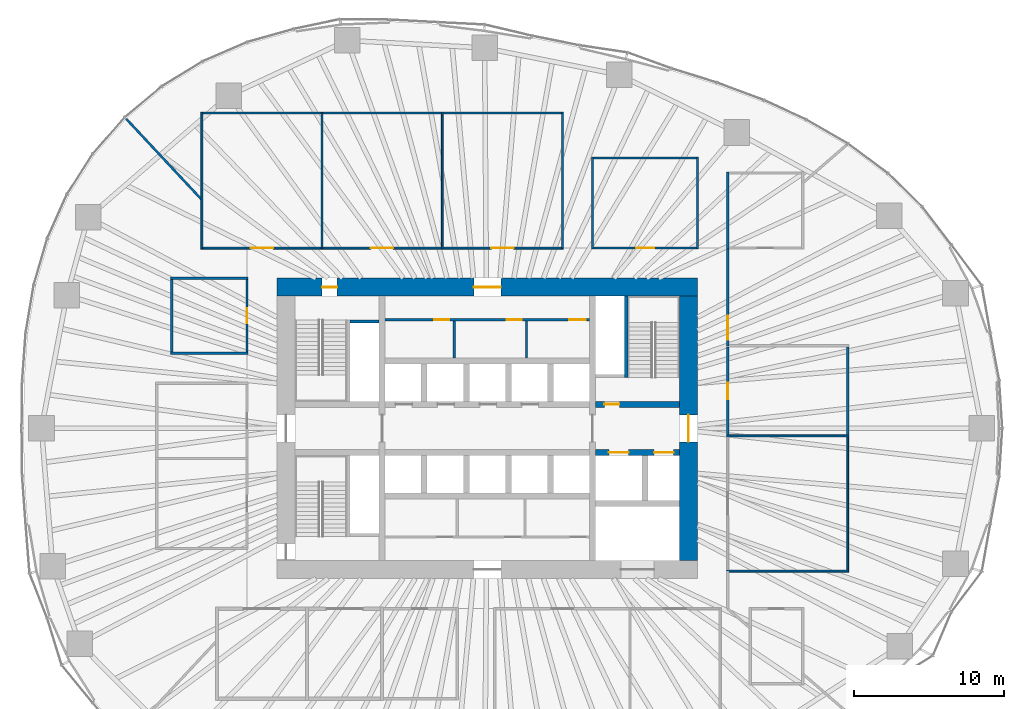
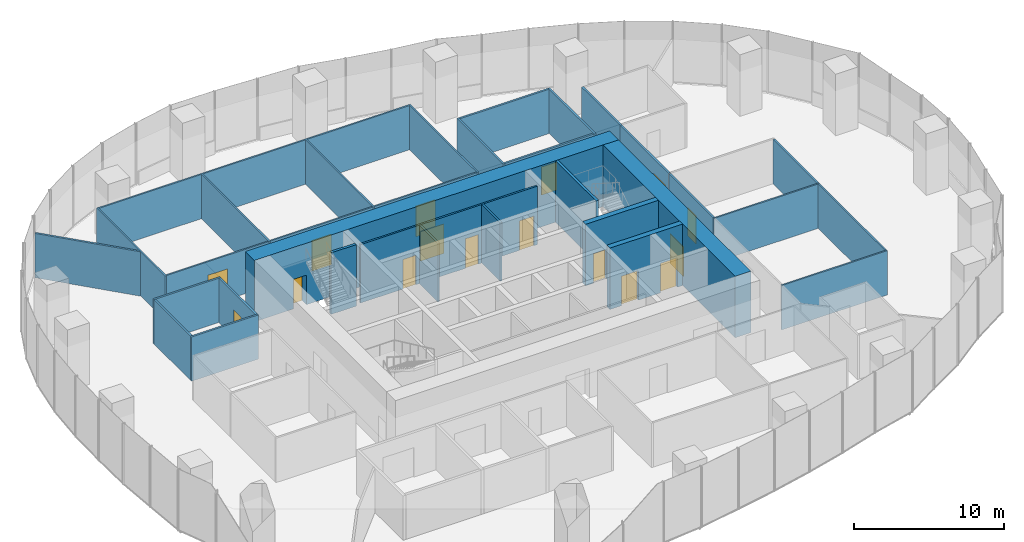
# One storey, part 11 of 20: 35 walls, 16 doors, 16 openings.
"""IFC4 building model written with IfcOpenShell, lengths in metres."""

from ifc_helpers import new_model, si_unit, direction, frame, frame_2d, origin, place, context, subcontext, project, spatial, rectangle, extrude, material, layer, layer_set, type_object, element, fill, save


model = new_model("IFC4")

# Units and contexts
model_context = context("Model", 3, precision=1e-05, world=origin(), true_north=direction((0.0, 1.0)))
body_context = subcontext(model_context, "Body", "Model", "MODEL_VIEW")
ifc_project = project(units=[si_unit("LENGTHUNIT", "METRE"), si_unit("AREAUNIT", "SQUARE_METRE"), si_unit("VOLUMEUNIT", "CUBIC_METRE"), si_unit("PLANEANGLEUNIT", "RADIAN"), si_unit("MASSUNIT", "GRAM", prefix="KILO")], contexts=[model_context])

# Site, building, storey
site_placement = place(None, origin())
site = spatial("IfcSite", under=ifc_project, at=site_placement, CompositionType="ELEMENT")
building_placement = place(site_placement, origin())
building = spatial("IfcBuilding", under=site, at=building_placement, Name="Ghaith Harvest Tower", CompositionType="ELEMENT")
storey_placement = place(building_placement, frame((0.0, 0.0, 65.0)))
storey = spatial("IfcBuildingStorey", under=building, at=storey_placement, Name="L13", CompositionType="ELEMENT", Elevation=65.0)

# Wall, openings, doors
ifc_material_1 = material(Name="Concrete blockwork, fair-faced", Category="masonry")
ifc_layer_1 = layer(ifc_material_1, 0.139892578125)
ifc_layer_set_1 = layer_set([ifc_layer_1], Name="CORE PARTITION 140")
wall_type_1 = type_object("IfcWallType", Name="CORE PARTITION 140", PredefinedType="PARTITIONING", material=ifc_layer_set_1)
wall_1_placement = place(storey_placement, frame((-6.800048828125, 7.22998046875, 0.0), z_axis=(0.0, 0.0, 1.0), x_axis=(1.0, 0.0, 0.0)))
wall_1 = element("IfcWall", 1, at=wall_1_placement, inside=storey, type_object=wall_type_1, Name="Core partition L13", PredefinedType="PARTITIONING", context=body_context, shape_type="SweptSolid", body=[
    extrude(rectangle(XDim=13.60009765625, YDim=0.139892578125, at=frame_2d((6.800048828125, 0.0))), origin(), (0.0, 0.0, 1.0), 4.75),
])
opening_1_placement = place(wall_1_placement, frame((3.280029296875, 0.0, 0.0)))
opening_1 = element("IfcOpeningElement", 2, at=opening_1_placement, cuts=wall_1, Name="Opening 13-008", PredefinedType="OPENING", context=body_context, shape_type="SweptSolid", body=[
    extrude(rectangle(XDim=1.0, YDim=2.39990234375, at=frame_2d((0.5, 1.199951171875))), frame((0.0, 0.080078125, 0.0), z_axis=(0.0, -1.0, 0.0), x_axis=(1.0, 0.0, 0.0)), (0.0, 0.0, 1.0), 0.159912109375),
])
opening_2_placement = place(wall_1_placement, frame((8.080078125, 0.0, 0.0)))
opening_2 = element("IfcOpeningElement", 3, at=opening_2_placement, cuts=wall_1, Name="Opening 13-009", PredefinedType="OPENING", context=body_context, shape_type="SweptSolid", body=[
    extrude(rectangle(XDim=1.0, YDim=2.39990234375, at=frame_2d((0.5, 1.199951171875))), frame((0.0, 0.080078125, 0.0), z_axis=(0.0, -1.0, 0.0), x_axis=(1.0, 0.0, 0.0)), (0.0, 0.0, 1.0), 0.159912109375),
])
opening_3_placement = place(wall_1_placement, frame((12.25, 0.0, 0.0)))
opening_3 = element("IfcOpeningElement", 4, at=opening_3_placement, cuts=wall_1, Name="Opening 13-010", PredefinedType="OPENING", context=body_context, shape_type="SweptSolid", body=[
    extrude(rectangle(XDim=1.10009765625, YDim=2.39990234375, at=frame_2d((0.550048828125, 1.199951171875))), frame((0.0, 0.080078125, 0.0), z_axis=(0.0, -1.0, 0.0), x_axis=(1.0, 0.0, 0.0)), (0.0, 0.0, 1.0), 0.159912109375),
])
ifc_material_2 = material(Name="Steel fire door", Category="steel")
door_type_1 = type_object("IfcDoorType", Name="D3 FD90 1000x2400", OperationType="SINGLE_SWING_LEFT", PredefinedType="DOOR", material=ifc_material_2)
door_1_placement = place(opening_1_placement, origin())
door_1 = element("IfcDoor", 5, at=door_1_placement, inside=storey, type_object=door_type_1, Name="Female WC door", OperationType="SINGLE_SWING_LEFT", OverallHeight=2.39990234375, OverallWidth=1.0, PredefinedType="DOOR", context=body_context, shape_type="SweptSolid", body=[
    extrude(rectangle(XDim=1.0, YDim=2.39990234375, at=frame_2d((0.5, 1.199951171875))), frame((0.0, 0.02490234375, 0.0), z_axis=(0.0, -1.0, 0.0), x_axis=(1.0, 0.0, 0.0)), (0.0, 0.0, 1.0), 0.050048828125),
])
fill(opening_1, door_1)
door_2_placement = place(opening_2_placement, origin())
door_2 = element("IfcDoor", 6, at=door_2_placement, inside=storey, type_object=door_type_1, Name="Male WC door", OperationType="SINGLE_SWING_RIGHT", OverallHeight=2.39990234375, OverallWidth=1.0, PredefinedType="DOOR", context=body_context, shape_type="SweptSolid", body=[
    extrude(rectangle(XDim=1.0, YDim=2.39990234375, at=frame_2d((0.5, 1.199951171875))), frame((0.0, 0.02490234375, 0.0), z_axis=(0.0, -1.0, 0.0), x_axis=(1.0, 0.0, 0.0)), (0.0, 0.0, 1.0), 0.050048828125),
])
fill(opening_2, door_2)
ifc_material_3 = material(Name="Steel fire door", Category="steel")
door_type_2 = type_object("IfcDoorType", Name="D9 FD90 1100x2400", OperationType="SINGLE_SWING_LEFT", PredefinedType="DOOR", material=ifc_material_3)
door_3_placement = place(opening_3_placement, origin())
door_3 = element("IfcDoor", 7, at=door_3_placement, inside=storey, type_object=door_type_2, Name="Accessible WC door", OperationType="SINGLE_SWING_RIGHT", OverallHeight=2.39990234375, OverallWidth=1.10009765625, PredefinedType="DOOR", context=body_context, shape_type="SweptSolid", body=[
    extrude(rectangle(XDim=1.10009765625, YDim=2.39990234375, at=frame_2d((0.550048828125, 1.199951171875))), frame((0.0, 0.02490234375, 0.0), z_axis=(0.0, -1.0, 0.0), x_axis=(1.0, 0.0, 0.0)), (0.0, 0.0, 1.0), 0.050048828125),
])
fill(opening_3, door_3)

# Walls
for number, where, z_axis, x_axis, name in (
    (8, (-2.199951171875, 4.699951171875, 0.0), (0.0, 0.0, 1.0), (0.0, 1.0, 0.0), "Core partition L13"),
    (9, (2.60009765625, 4.699951171875, 0.0), (0.0, 0.0, 1.0), (0.0, 1.0, 0.0), "Core partition L13"),
):
    element("IfcWall", number, at=place(storey_placement, frame(where, z_axis=z_axis, x_axis=x_axis)), inside=storey, type_object=wall_type_1, Name=name, PredefinedType="PARTITIONING", context=body_context, shape_type="SweptSolid", body=[
        extrude(rectangle(XDim=2.4599609375, YDim=0.139892578125, at=frame_2d((1.22998046875, 0.0))), origin(), (0.0, 0.0, 1.0), 4.75),
    ])

# Wall, openings, doors
ifc_material_4 = material(Name="Concrete C70/85", Category="concrete")
ifc_layer_2 = layer(ifc_material_4, 1.199951171875)
ifc_layer_set_2 = layer_set([ifc_layer_2], Name="CORE WALL CW1200")
wall_type_2 = type_object("IfcWallType", Name="CORE WALL CW1200", PredefinedType="SHEAR", material=ifc_layer_set_2)
wall_2_placement = place(storey_placement, frame((14.0, 9.39990234375, 0.0), z_axis=(0.0, 0.0, 1.0), x_axis=(-1.0, 0.0, 0.0)))
wall_2 = element("IfcWall", 10, at=wall_2_placement, inside=storey, type_object=wall_type_2, Name="Core wall N L13", PredefinedType="SHEAR", context=body_context, shape_type="SweptSolid", body=[
    extrude(rectangle(XDim=28.0, YDim=1.199951171875, at=frame_2d((14.0, 0.0))), origin(), (0.0, 0.0, 1.0), 5.0),
])
opening_4_placement = place(wall_2_placement, frame((24.0, 0.0, 0.0)))
opening_4 = element("IfcOpeningElement", 11, at=opening_4_placement, cuts=wall_2, Name="Opening 13-005", PredefinedType="OPENING", context=body_context, shape_type="SweptSolid", body=[
    extrude(rectangle(XDim=1.0, YDim=2.39990234375, at=frame_2d((0.5, 1.199951171875))), frame((0.0, 0.60986328125, 0.0), z_axis=(0.0, -1.0, 0.0), x_axis=(1.0, 0.0, 0.0)), (0.0, 0.0, 1.0), 1.219970703125),
])
opening_5_placement = place(wall_2_placement, frame((13.10009765625, 0.0, 0.0)))
opening_5 = element("IfcOpeningElement", 12, at=opening_5_placement, cuts=wall_2, Name="Opening 13-014", PredefinedType="OPENING", context=body_context, shape_type="SweptSolid", body=[
    extrude(rectangle(XDim=1.800048828125, YDim=2.39990234375, at=frame_2d((0.89990234375, 1.199951171875))), frame((0.0, 0.60986328125, 0.0), z_axis=(0.0, -1.0, 0.0), x_axis=(1.0, 0.0, 0.0)), (0.0, 0.0, 1.0), 1.219970703125),
])
door_4_placement = place(opening_4_placement, origin())
door_4 = element("IfcDoor", 13, at=door_4_placement, inside=storey, type_object=door_type_1, Name="Stair ST1 door", OperationType="SINGLE_SWING_RIGHT", OverallHeight=2.39990234375, OverallWidth=1.0, PredefinedType="DOOR", context=body_context, shape_type="SweptSolid", body=[
    extrude(rectangle(XDim=1.0, YDim=2.39990234375, at=frame_2d((0.5, 1.199951171875))), frame((0.0, 0.02490234375, 0.0), z_axis=(0.0, -1.0, 0.0), x_axis=(1.0, 0.0, 0.0)), (0.0, 0.0, 1.0), 0.050048828125),
])
fill(opening_4, door_4)
ifc_material_5 = material(Name="Steel fire door", Category="steel")
door_type_3 = type_object("IfcDoorType", Name="D4 FD90 PAIR 1800x2400", OperationType="DOUBLE_DOOR_SINGLE_SWING", PredefinedType="DOOR", material=ifc_material_5)
door_5_placement = place(opening_5_placement, origin())
door_5 = element("IfcDoor", 14, at=door_5_placement, inside=storey, type_object=door_type_3, Name="Core service corridor doors", OperationType="DOUBLE_DOOR_SINGLE_SWING", OverallHeight=2.39990234375, OverallWidth=1.800048828125, PredefinedType="DOOR", context=body_context, shape_type="SweptSolid", body=[
    extrude(rectangle(XDim=1.800048828125, YDim=2.39990234375, at=frame_2d((0.89990234375, 1.199951171875))), frame((0.0, 0.02490234375, 0.0), z_axis=(0.0, -1.0, 0.0), x_axis=(1.0, 0.0, 0.0)), (0.0, 0.0, 1.0), 0.050048828125),
])
fill(opening_5, door_5)

# Wall, opening, door
wall_3_placement = place(storey_placement, frame((13.39990234375, -8.800048828125, 0.0), z_axis=(0.0, 0.0, 1.0), x_axis=(0.0, 1.0, 0.0)))
wall_3 = element("IfcWall", 15, at=wall_3_placement, inside=storey, type_object=wall_type_2, Name="Core wall E L13", PredefinedType="SHEAR", context=body_context, shape_type="SweptSolid", body=[
    extrude(rectangle(XDim=17.60009765625, YDim=1.199951171875, at=frame_2d((8.800048828125, 0.0))), origin(), (0.0, 0.0, 1.0), 5.0),
])
opening_6_placement = place(wall_3_placement, frame((7.89990234375, 0.0, 0.0)))
opening_6 = element("IfcOpeningElement", 16, at=opening_6_placement, cuts=wall_3, Name="Opening 13-002", PredefinedType="OPENING", context=body_context, shape_type="SweptSolid", body=[
    extrude(rectangle(XDim=1.800048828125, YDim=2.39990234375, at=frame_2d((0.89990234375, 1.199951171875))), frame((0.0, 0.60986328125, 0.0), z_axis=(0.0, -1.0, 0.0), x_axis=(1.0, 0.0, 0.0)), (0.0, 0.0, 1.0), 1.219970703125),
])
door_6_placement = place(opening_6_placement, origin())
door_6 = element("IfcDoor", 17, at=door_6_placement, inside=storey, type_object=door_type_3, Name="Fire-fighting lobby doors", OperationType="DOUBLE_DOOR_SINGLE_SWING", OverallHeight=2.39990234375, OverallWidth=1.800048828125, PredefinedType="DOOR", context=body_context, shape_type="SweptSolid", body=[
    extrude(rectangle(XDim=1.800048828125, YDim=2.39990234375, at=frame_2d((0.89990234375, 1.199951171875))), frame((0.0, 0.02490234375, 0.0), z_axis=(0.0, -1.0, 0.0), x_axis=(1.0, 0.0, 0.0)), (0.0, 0.0, 1.0), 0.050048828125),
])
fill(opening_6, door_6)

# Walls
ifc_material_6 = material(Name="Insulated food-grade panel", Category="steel")
ifc_layer_3 = layer(ifc_material_6, 0.1201171875)
ifc_layer_set_3 = layer_set([ifc_layer_3], Name="INSULATED PANEL WALL 120")
wall_type_3 = type_object("IfcWallType", Name="INSULATED PANEL WALL 120", PredefinedType="PARTITIONING", material=ifc_layer_set_3)
for number, where, z_axis, x_axis, name in (
    (18, (-19.0, 11.93994140625, 0.0), (0.0, 0.0, 1.0), (0.0, 1.0, 0.0), "Partition L13 row N1 cross wall 1"),
    (19, (-11.0, 11.93994140625, 0.0), (0.0, 0.0, 1.0), (0.0, 1.0, 0.0), "Partition L13 row N1 cross wall 2"),
    (20, (-3.0, 11.93994140625, 0.0), (0.0, 0.0, 1.0), (0.0, 1.0, 0.0), "Partition L13 row N1 cross wall 3"),
    (21, (5.0, 11.93994140625, 0.0), (0.0, 0.0, 1.0), (0.0, 1.0, 0.0), "Partition L13 row N1 cross wall 4"),
):
    element("IfcWall", number, at=place(storey_placement, frame(where, z_axis=z_axis, x_axis=x_axis)), inside=storey, type_object=wall_type_3, Name=name, PredefinedType="PARTITIONING", context=body_context, shape_type="SweptSolid", body=[
        extrude(rectangle(XDim=9.1201171875, YDim=0.1201171875, at=frame_2d((4.56005859375, 0.0))), origin(), (0.0, 0.0, 1.0), 3.60009765625),
    ])

# Wall, opening, door
wall_4_placement = place(storey_placement, frame((-18.93994140625, 12.0, 0.0), z_axis=(0.0, 0.0, 1.0), x_axis=(1.0, 0.0, 0.0)))
wall_4 = element("IfcWall", 22, at=wall_4_placement, inside=storey, type_object=wall_type_3, Name="Partition L13-01", PredefinedType="PARTITIONING", context=body_context, shape_type="SweptSolid", body=[
    extrude(rectangle(XDim=7.8798828125, YDim=0.1201171875, at=frame_2d((3.93994140625, 0.0))), origin(), (0.0, 0.0, 1.0), 3.60009765625),
])
opening_7_placement = place(wall_4_placement, frame((3.18994140625, 0.0, 0.0)))
opening_7 = element("IfcOpeningElement", 23, at=opening_7_placement, cuts=wall_4, Name="Opening 13-023", PredefinedType="OPENING", context=body_context, shape_type="SweptSolid", body=[
    extrude(rectangle(XDim=1.5, YDim=2.5, at=frame_2d((0.75, 1.25))), frame((0.0, 0.070068359375, 0.0), z_axis=(0.0, -1.0, 0.0), x_axis=(1.0, 0.0, 0.0)), (0.0, 0.0, 1.0), 0.14013671875),
])
ifc_material_7 = material(Name="Insulated steel sliding door", Category="steel")
door_type_4 = type_object("IfcDoorType", Name="D13 COLD STORE SLIDING 1500x2500", OperationType="SLIDING_TO_LEFT", PredefinedType="DOOR", material=ifc_material_7)
door_7_placement = place(opening_7_placement, origin())
door_7 = element("IfcDoor", 24, at=door_7_placement, inside=storey, type_object=door_type_4, Name="Herb growing room door", OperationType="SLIDING_TO_LEFT", OverallHeight=2.5, OverallWidth=1.5, PredefinedType="DOOR", context=body_context, shape_type="SweptSolid", body=[
    extrude(rectangle(XDim=1.5, YDim=2.5, at=frame_2d((0.75, 1.25))), frame((0.0, 0.02490234375, 0.0), z_axis=(0.0, -1.0, 0.0), x_axis=(1.0, 0.0, 0.0)), (0.0, 0.0, 1.0), 0.050048828125),
])
fill(opening_7, door_7)

# Wall
wall_5_placement = place(storey_placement, frame((-18.93994140625, 21.0, 0.0), z_axis=(0.0, 0.0, 1.0), x_axis=(1.0, 0.0, 0.0)))
element("IfcWall", 25, at=wall_5_placement, inside=storey, type_object=wall_type_3, Name="Partition L13-01", PredefinedType="PARTITIONING", context=body_context, shape_type="SweptSolid", body=[
    extrude(rectangle(XDim=7.8798828125, YDim=0.1201171875, at=frame_2d((3.93994140625, 0.0))), origin(), (0.0, 0.0, 1.0), 3.60009765625),
])

# Wall, opening, door
wall_6_placement = place(storey_placement, frame((-10.93994140625, 12.0, 0.0), z_axis=(0.0, 0.0, 1.0), x_axis=(1.0, 0.0, 0.0)))
wall_6 = element("IfcWall", 26, at=wall_6_placement, inside=storey, type_object=wall_type_3, Name="Partition L13-02", PredefinedType="PARTITIONING", context=body_context, shape_type="SweptSolid", body=[
    extrude(rectangle(XDim=7.8798828125, YDim=0.1201171875, at=frame_2d((3.93994140625, 0.0))), origin(), (0.0, 0.0, 1.0), 3.60009765625),
])
opening_8_placement = place(wall_6_placement, frame((3.18994140625, 0.0, 0.0)))
opening_8 = element("IfcOpeningElement", 27, at=opening_8_placement, cuts=wall_6, Name="Opening 13-024", PredefinedType="OPENING", context=body_context, shape_type="SweptSolid", body=[
    extrude(rectangle(XDim=1.5, YDim=2.5, at=frame_2d((0.75, 1.25))), frame((0.0, 0.070068359375, 0.0), z_axis=(0.0, -1.0, 0.0), x_axis=(1.0, 0.0, 0.0)), (0.0, 0.0, 1.0), 0.14013671875),
])
door_8_placement = place(opening_8_placement, origin())
door_8 = element("IfcDoor", 28, at=door_8_placement, inside=storey, type_object=door_type_4, Name="Herb growing room door", OperationType="SLIDING_TO_LEFT", OverallHeight=2.5, OverallWidth=1.5, PredefinedType="DOOR", context=body_context, shape_type="SweptSolid", body=[
    extrude(rectangle(XDim=1.5, YDim=2.5, at=frame_2d((0.75, 1.25))), frame((0.0, 0.02490234375, 0.0), z_axis=(0.0, -1.0, 0.0), x_axis=(1.0, 0.0, 0.0)), (0.0, 0.0, 1.0), 0.050048828125),
])
fill(opening_8, door_8)

# Wall
wall_7_placement = place(storey_placement, frame((-10.93994140625, 21.0, 0.0), z_axis=(0.0, 0.0, 1.0), x_axis=(1.0, 0.0, 0.0)))
element("IfcWall", 29, at=wall_7_placement, inside=storey, type_object=wall_type_3, Name="Partition L13-02", PredefinedType="PARTITIONING", context=body_context, shape_type="SweptSolid", body=[
    extrude(rectangle(XDim=7.8798828125, YDim=0.1201171875, at=frame_2d((3.93994140625, 0.0))), origin(), (0.0, 0.0, 1.0), 3.60009765625),
])

# Wall, opening, door
wall_8_placement = place(storey_placement, frame((-2.93994140625, 12.0, 0.0), z_axis=(0.0, 0.0, 1.0), x_axis=(1.0, 0.0, 0.0)))
wall_8 = element("IfcWall", 30, at=wall_8_placement, inside=storey, type_object=wall_type_3, Name="Partition L13-03", PredefinedType="PARTITIONING", context=body_context, shape_type="SweptSolid", body=[
    extrude(rectangle(XDim=7.8798828125, YDim=0.1201171875, at=frame_2d((3.93994140625, 0.0))), origin(), (0.0, 0.0, 1.0), 3.60009765625),
])
opening_9_placement = place(wall_8_placement, frame((3.18994140625, 0.0, 0.0)))
opening_9 = element("IfcOpeningElement", 31, at=opening_9_placement, cuts=wall_8, Name="Opening 13-025", PredefinedType="OPENING", context=body_context, shape_type="SweptSolid", body=[
    extrude(rectangle(XDim=1.5, YDim=2.5, at=frame_2d((0.75, 1.25))), frame((0.0, 0.070068359375, 0.0), z_axis=(0.0, -1.0, 0.0), x_axis=(1.0, 0.0, 0.0)), (0.0, 0.0, 1.0), 0.14013671875),
])
door_9_placement = place(opening_9_placement, origin())
door_9 = element("IfcDoor", 32, at=door_9_placement, inside=storey, type_object=door_type_4, Name="Herb growing room door", OperationType="SLIDING_TO_LEFT", OverallHeight=2.5, OverallWidth=1.5, PredefinedType="DOOR", context=body_context, shape_type="SweptSolid", body=[
    extrude(rectangle(XDim=1.5, YDim=2.5, at=frame_2d((0.75, 1.25))), frame((0.0, 0.02490234375, 0.0), z_axis=(0.0, -1.0, 0.0), x_axis=(1.0, 0.0, 0.0)), (0.0, 0.0, 1.0), 0.050048828125),
])
fill(opening_9, door_9)

# Walls
wall_9_placement = place(storey_placement, frame((-2.93994140625, 21.0, 0.0), z_axis=(0.0, 0.0, 1.0), x_axis=(1.0, 0.0, 0.0)))
element("IfcWall", 33, at=wall_9_placement, inside=storey, type_object=wall_type_3, Name="Partition L13-03", PredefinedType="PARTITIONING", context=body_context, shape_type="SweptSolid", body=[
    extrude(rectangle(XDim=7.8798828125, YDim=0.1201171875, at=frame_2d((3.93994140625, 0.0))), origin(), (0.0, 0.0, 1.0), 3.60009765625),
])
wall_10_placement = place(storey_placement, frame((15.93994140625, -9.5, 0.0), z_axis=(0.0, 0.0, 1.0), x_axis=(1.0, 0.0, 0.0)))
element("IfcWall", 34, at=wall_10_placement, inside=storey, type_object=wall_type_3, Name="Partition L13 row E3 cross wall 1", PredefinedType="PARTITIONING", context=body_context, shape_type="SweptSolid", body=[
    extrude(rectangle(XDim=8.1201171875, YDim=0.1201171875, at=frame_2d((4.06005859375, 0.0))), origin(), (0.0, 0.0, 1.0), 3.60009765625),
])
wall_11_placement = place(storey_placement, frame((15.925048828125, -0.5, 0.0), z_axis=(0.0, 0.0, 1.0), x_axis=(1.0, 0.0, 0.0)))
element("IfcWall", 35, at=wall_11_placement, inside=storey, type_object=wall_type_3, Name="Partition L13 row E3 cross wall 2", PredefinedType="PARTITIONING", context=body_context, shape_type="SweptSolid", body=[
    extrude(rectangle(XDim=8.14990234375, YDim=0.1201171875, at=frame_2d((4.074951171875, 0.0))), origin(), (0.0, 0.0, 1.0), 3.60009765625),
])
wall_12_placement = place(storey_placement, frame((24.0, -9.43994140625, 0.0), z_axis=(0.0, 0.0, 1.0), x_axis=(0.0, 1.0, 0.0)))
element("IfcWall", 36, at=wall_12_placement, inside=storey, type_object=wall_type_3, Name="Partition L13-05", PredefinedType="PARTITIONING", context=body_context, shape_type="SweptSolid", body=[
    extrude(rectangle(XDim=8.8798828125, YDim=0.1201171875, at=frame_2d((4.43994140625, 0.0))), origin(), (0.0, 0.0, 1.0), 3.60009765625),
])
ifc_material_8 = material(Name="Gypsum board on steel studs", Category="steel")
ifc_layer_4 = layer(ifc_material_8, 0.14990234375)
ifc_layer_set_4 = layer_set([ifc_layer_4], Name="PARTITION 150")
wall_type_4 = type_object("IfcWallType", Name="PARTITION 150", PredefinedType="PARTITIONING", material=ifc_layer_set_4)
for number, where, z_axis, x_axis, name in (
    (37, (7.0, 11.925048828125, 0.0), (0.0, 0.0, 1.0), (0.0, 1.0, 0.0), "Partition L13 row N2 cross wall 1"),
    (38, (14.0, 11.925048828125, 0.0), (0.0, 0.0, 1.0), (0.0, 1.0, 0.0), "Partition L13 row N2 cross wall 2"),
):
    element("IfcWall", number, at=place(storey_placement, frame(where, z_axis=z_axis, x_axis=x_axis)), inside=storey, type_object=wall_type_4, Name=name, PredefinedType="PARTITIONING", context=body_context, shape_type="SweptSolid", body=[
        extrude(rectangle(XDim=6.14990234375, YDim=0.14990234375, at=frame_2d((3.074951171875, 0.0))), origin(), (0.0, 0.0, 1.0), 3.60009765625),
    ])

# Wall, opening, door
wall_13_placement = place(storey_placement, frame((7.074951171875, 12.0, 0.0), z_axis=(0.0, 0.0, 1.0), x_axis=(1.0, 0.0, 0.0)))
wall_13 = element("IfcWall", 39, at=wall_13_placement, inside=storey, type_object=wall_type_4, Name="Partition L13-04", PredefinedType="PARTITIONING", context=body_context, shape_type="SweptSolid", body=[
    extrude(rectangle(XDim=6.85009765625, YDim=0.14990234375, at=frame_2d((3.425048828125, 0.0))), origin(), (0.0, 0.0, 1.0), 3.60009765625),
])
opening_10_placement = place(wall_13_placement, frame((2.824951171875, 0.0, 0.0)))
opening_10 = element("IfcOpeningElement", 40, at=opening_10_placement, cuts=wall_13, Name="Opening 13-026", PredefinedType="OPENING", context=body_context, shape_type="SweptSolid", body=[
    extrude(rectangle(XDim=1.199951171875, YDim=2.300048828125, at=frame_2d((0.60009765625, 1.14990234375))), frame((0.0, 0.0849609375, 0.0), z_axis=(0.0, -1.0, 0.0), x_axis=(1.0, 0.0, 0.0)), (0.0, 0.0, 1.0), 0.169921875),
])
ifc_material_9 = material(Name="Timber door with vision panel", Category="wood")
door_type_5 = type_object("IfcDoorType", Name="D15 LABORATORY 1200x2300", OperationType="SINGLE_SWING_LEFT", PredefinedType="DOOR", material=ifc_material_9)
door_10_placement = place(opening_10_placement, origin())
door_10 = element("IfcDoor", 41, at=door_10_placement, inside=storey, type_object=door_type_5, Name="Quality laboratory door", OperationType="SINGLE_SWING_LEFT", OverallHeight=2.300048828125, OverallWidth=1.199951171875, PredefinedType="DOOR", context=body_context, shape_type="SweptSolid", body=[
    extrude(rectangle(XDim=1.199951171875, YDim=2.300048828125, at=frame_2d((0.60009765625, 1.14990234375))), frame((0.0, 0.02490234375, 0.0), z_axis=(0.0, -1.0, 0.0), x_axis=(1.0, 0.0, 0.0)), (0.0, 0.0, 1.0), 0.050048828125),
])
fill(opening_10, door_10)

# Wall
wall_14_placement = place(storey_placement, frame((7.074951171875, 18.0, 0.0), z_axis=(0.0, 0.0, 1.0), x_axis=(1.0, 0.0, 0.0)))
element("IfcWall", 42, at=wall_14_placement, inside=storey, type_object=wall_type_4, Name="Partition L13-04", PredefinedType="PARTITIONING", context=body_context, shape_type="SweptSolid", body=[
    extrude(rectangle(XDim=6.85009765625, YDim=0.14990234375, at=frame_2d((3.425048828125, 0.0))), origin(), (0.0, 0.0, 1.0), 3.60009765625),
])

# Wall, opening, door
wall_15_placement = place(storey_placement, frame((16.0, -0.43994140625, 0.0), z_axis=(0.0, 0.0, 1.0), x_axis=(0.0, 1.0, 0.0)))
wall_15 = element("IfcWall", 43, at=wall_15_placement, inside=storey, type_object=wall_type_4, Name="Partition L13-06", PredefinedType="PARTITIONING", context=body_context, shape_type="SweptSolid", body=[
    extrude(rectangle(XDim=5.864990234375, YDim=0.14990234375, at=frame_2d((2.9326171875, 0.0))), origin(), (0.0, 0.0, 1.0), 3.60009765625),
])
opening_11_placement = place(wall_15_placement, frame((2.382568359375, 0.0, 0.0)))
opening_11 = element("IfcOpeningElement", 44, at=opening_11_placement, cuts=wall_15, Name="Opening 13-028", PredefinedType="OPENING", context=body_context, shape_type="SweptSolid", body=[
    extrude(rectangle(XDim=1.10009765625, YDim=2.300048828125, at=frame_2d((0.550048828125, 1.14990234375))), frame((0.0, 0.0849609375, 0.0), z_axis=(0.0, -1.0, 0.0), x_axis=(1.0, 0.0, 0.0)), (0.0, 0.0, 1.0), 0.169921875),
])
ifc_material_10 = material(Name="Timber-framed glazed door", Category="wood")
door_type_6 = type_object("IfcDoorType", Name="D12 GLAZED OFFICE 1100x2300", OperationType="SINGLE_SWING_LEFT", PredefinedType="DOOR", material=ifc_material_10)
door_11_placement = place(opening_11_placement, origin())
door_11 = element("IfcDoor", 45, at=door_11_placement, inside=storey, type_object=door_type_6, Name="Crop office door", OperationType="SINGLE_SWING_LEFT", OverallHeight=2.300048828125, OverallWidth=1.10009765625, PredefinedType="DOOR", context=body_context, shape_type="SweptSolid", body=[
    extrude(rectangle(XDim=1.10009765625, YDim=2.300048828125, at=frame_2d((0.550048828125, 1.14990234375))), frame((0.0, 0.02490234375, 0.0), z_axis=(0.0, -1.0, 0.0), x_axis=(1.0, 0.0, 0.0)), (0.0, 0.0, 1.0), 0.050048828125),
])
fill(opening_11, door_11)

# Walls
wall_16_placement = place(storey_placement, frame((24.0, -0.43994140625, 0.0), z_axis=(0.0, 0.0, 1.0), x_axis=(0.0, 1.0, 0.0)))
element("IfcWall", 46, at=wall_16_placement, inside=storey, type_object=wall_type_4, Name="Partition L13-06", PredefinedType="PARTITIONING", context=body_context, shape_type="SweptSolid", body=[
    extrude(rectangle(XDim=5.864990234375, YDim=0.14990234375, at=frame_2d((2.9326171875, 0.0))), origin(), (0.0, 0.0, 1.0), 3.60009765625),
])
for number, where, z_axis, x_axis, name in (
    (47, (16.0, 11.925048828125, 0.0), (0.0, 0.0, 1.0), (0.0, 1.0, 0.0), "Partition L13 row N7 cross wall 1"),
    (48, (-15.925048828125, 5.0, 0.0), (0.0, 0.0, 1.0), (-1.0, 0.0, 0.0), "Partition L13 row W9 cross wall 1"),
    (49, (-15.925048828125, 10.0, 0.0), (0.0, 0.0, 1.0), (-1.0, 0.0, 0.0), "Partition L13 row W9 cross wall 2"),
):
    element("IfcWall", number, at=place(storey_placement, frame(where, z_axis=z_axis, x_axis=x_axis)), inside=storey, type_object=wall_type_4, Name=name, PredefinedType="PARTITIONING", context=body_context, shape_type="SweptSolid", body=[
        extrude(rectangle(XDim=5.14990234375, YDim=0.14990234375, at=frame_2d((2.574951171875, 0.0))), origin(), (0.0, 0.0, 1.0), 3.60009765625),
    ])

# Wall, opening, door
wall_17_placement = place(storey_placement, frame((-16.0, 5.074951171875, 0.0), z_axis=(0.0, 0.0, 1.0), x_axis=(0.0, 1.0, 0.0)))
wall_17 = element("IfcWall", 50, at=wall_17_placement, inside=storey, type_object=wall_type_4, Name="Partition L13-16", PredefinedType="PARTITIONING", context=body_context, shape_type="SweptSolid", body=[
    extrude(rectangle(XDim=4.85009765625, YDim=0.14990234375, at=frame_2d((2.425048828125, 0.0))), origin(), (0.0, 0.0, 1.0), 3.60009765625),
])
opening_12_placement = place(wall_17_placement, frame((1.925048828125, 0.0, 0.0)))
opening_12 = element("IfcOpeningElement", 51, at=opening_12_placement, cuts=wall_17, Name="Opening 13-038", PredefinedType="OPENING", context=body_context, shape_type="SweptSolid", body=[
    extrude(rectangle(XDim=1.0, YDim=2.199951171875, at=frame_2d((0.5, 1.10009765625))), frame((0.0, 0.0849609375, 0.0), z_axis=(0.0, -1.0, 0.0), x_axis=(1.0, 0.0, 0.0)), (0.0, 0.0, 1.0), 0.169921875),
])
ifc_material_11 = material(Name="Timber door", Category="wood")
door_type_7 = type_object("IfcDoorType", Name="D1 SINGLE 1000x2200", OperationType="SINGLE_SWING_LEFT", PredefinedType="DOOR", material=ifc_material_11)
door_12_placement = place(opening_12_placement, origin())
door_12 = element("IfcDoor", 52, at=door_12_placement, inside=storey, type_object=door_type_7, Name="Staff room door", OperationType="SINGLE_SWING_LEFT", OverallHeight=2.199951171875, OverallWidth=1.0, PredefinedType="DOOR", context=body_context, shape_type="SweptSolid", body=[
    extrude(rectangle(XDim=1.0, YDim=2.199951171875, at=frame_2d((0.5, 1.10009765625))), frame((0.0, 0.02490234375, 0.0), z_axis=(0.0, -1.0, 0.0), x_axis=(1.0, 0.0, 0.0)), (0.0, 0.0, 1.0), 0.050048828125),
])
fill(opening_12, door_12)

# Walls
wall_18_placement = place(storey_placement, frame((-21.0, 5.074951171875, 0.0), z_axis=(0.0, 0.0, 1.0), x_axis=(0.0, 1.0, 0.0)))
element("IfcWall", 53, at=wall_18_placement, inside=storey, type_object=wall_type_4, Name="Partition L13-16", PredefinedType="PARTITIONING", context=body_context, shape_type="SweptSolid", body=[
    extrude(rectangle(XDim=4.85009765625, YDim=0.14990234375, at=frame_2d((2.425048828125, 0.0))), origin(), (0.0, 0.0, 1.0), 3.60009765625),
])
wall_19_placement = place(storey_placement, frame((-19.02001953125, 15.23388671875, 0.0), z_axis=(0.0, 0.0, 1.0), x_axis=(-0.682519491562, 0.730867391281, 0.0)))
element("IfcWall", 54, at=wall_19_placement, inside=storey, type_object=wall_type_4, Name="Partition L13 zone division", PredefinedType="PARTITIONING", context=body_context, shape_type="SweptSolid", body=[
    extrude(rectangle(XDim=7.34716796875, YDim=0.14990234375, at=frame_2d((3.673583984375, 0.0))), origin(), (0.0, 0.0, 1.0), 3.60009765625),
])

# Wall, opening, door
wall_20_placement = place(storey_placement, frame((16.0, 5.5, 0.0), z_axis=(0.0, 0.0, 1.0), x_axis=(0.0, 1.0, 0.0)))
wall_20 = element("IfcWall", 55, at=wall_20_placement, inside=storey, type_object=wall_type_4, Name="Partition L13 zone enclosure", PredefinedType="PARTITIONING", context=body_context, shape_type="SweptSolid", body=[
    extrude(rectangle(XDim=6.5, YDim=0.14990234375, at=frame_2d((3.25, 0.0))), origin(), (0.0, 0.0, 1.0), 3.60009765625),
])
opening_13_placement = place(wall_20_placement, frame((0.39990234375, 0.0, 0.0)))
opening_13 = element("IfcOpeningElement", 56, at=opening_13_placement, cuts=wall_20, Name="Opening 13-039", PredefinedType="OPENING", context=body_context, shape_type="SweptSolid", body=[
    extrude(rectangle(XDim=1.60009765625, YDim=2.39990234375, at=frame_2d((0.800048828125, 1.199951171875))), frame((0.0, 0.0849609375, 0.0), z_axis=(0.0, -1.0, 0.0), x_axis=(1.0, 0.0, 0.0)), (0.0, 0.0, 1.0), 0.169921875),
])
ifc_material_12 = material(Name="Timber door", Category="wood")
door_type_8 = type_object("IfcDoorType", Name="D2 PAIR 1600x2400", OperationType="DOUBLE_DOOR_SINGLE_SWING", PredefinedType="DOOR", material=ifc_material_12)
door_13_placement = place(opening_13_placement, origin())
door_13 = element("IfcDoor", 57, at=door_13_placement, inside=storey, type_object=door_type_8, Name="Herb growing area east door", OperationType="DOUBLE_DOOR_SINGLE_SWING", OverallHeight=2.39990234375, OverallWidth=1.60009765625, PredefinedType="DOOR", context=body_context, shape_type="SweptSolid", body=[
    extrude(rectangle(XDim=1.60009765625, YDim=2.39990234375, at=frame_2d((0.800048828125, 1.199951171875))), frame((0.0, 0.02490234375, 0.0), z_axis=(0.0, -1.0, 0.0), x_axis=(1.0, 0.0, 0.0)), (0.0, 0.0, 1.0), 0.050048828125),
])
fill(opening_13, door_13)

ifc_material_13 = material(Name="Concrete C70/85", Category="concrete")
ifc_layer_5 = layer(ifc_material_13, 0.39990234375)
ifc_layer_set_5 = layer_set([ifc_layer_5], Name="SHAFT WALL 400")
wall_type_5 = type_object("IfcWallType", Name="SHAFT WALL 400", PredefinedType="SHEAR", material=ifc_layer_set_5)
wall_21_placement = place(storey_placement, frame((7.199951171875, 1.60009765625, 0.0), z_axis=(0.0, 0.0, 1.0), x_axis=(1.0, 0.0, 0.0)))
wall_21 = element("IfcWall", 58, at=wall_21_placement, inside=storey, type_object=wall_type_5, Name="Shaft wall EN L13", PredefinedType="SHEAR", context=body_context, shape_type="SweptSolid", body=[
    extrude(rectangle(XDim=5.60009765625, YDim=0.39990234375, at=frame_2d((2.800048828125, 0.0))), origin(), (0.0, 0.0, 1.0), 5.0),
])
opening_14_placement = place(wall_21_placement, frame((0.60009765625, 0.0, 0.0)))
opening_14 = element("IfcOpeningElement", 59, at=opening_14_placement, cuts=wall_21, Name="Opening 13-007", PredefinedType="OPENING", context=body_context, shape_type="SweptSolid", body=[
    extrude(rectangle(XDim=1.0, YDim=2.39990234375, at=frame_2d((0.5, 1.199951171875))), frame((0.0, 0.2099609375, 0.0), z_axis=(0.0, -1.0, 0.0), x_axis=(1.0, 0.0, 0.0)), (0.0, 0.0, 1.0), 0.419921875),
])
door_14_placement = place(opening_14_placement, origin())
door_14 = element("IfcDoor", 60, at=door_14_placement, inside=storey, type_object=door_type_1, Name="Stair ST2 door", OperationType="SINGLE_SWING_LEFT", OverallHeight=2.39990234375, OverallWidth=1.0, PredefinedType="DOOR", context=body_context, shape_type="SweptSolid", body=[
    extrude(rectangle(XDim=1.0, YDim=2.39990234375, at=frame_2d((0.5, 1.199951171875))), frame((0.0, 0.02490234375, 0.0), z_axis=(0.0, -1.0, 0.0), x_axis=(1.0, 0.0, 0.0)), (0.0, 0.0, 1.0), 0.050048828125),
])
fill(opening_14, door_14)

# Wall, openings, doors
wall_22_placement = place(storey_placement, frame((7.199951171875, -1.60009765625, 0.0), z_axis=(0.0, 0.0, 1.0), x_axis=(1.0, 0.0, 0.0)))
wall_22 = element("IfcWall", 61, at=wall_22_placement, inside=storey, type_object=wall_type_5, Name="Shaft wall ES L13", PredefinedType="SHEAR", context=body_context, shape_type="SweptSolid", body=[
    extrude(rectangle(XDim=5.60009765625, YDim=0.39990234375, at=frame_2d((2.800048828125, 0.0))), origin(), (0.0, 0.0, 1.0), 5.0),
])
opening_15_placement = place(wall_22_placement, frame((0.89990234375, 0.0, 0.0)))
opening_15 = element("IfcOpeningElement", 62, at=opening_15_placement, cuts=wall_22, Name="Opening 13-020", PredefinedType="OPENING", context=body_context, shape_type="SweptSolid", body=[
    extrude(rectangle(XDim=1.300048828125, YDim=2.39990234375, at=frame_2d((0.64990234375, 1.199951171875))), frame((0.0, 0.2099609375, 0.0), z_axis=(0.0, -1.0, 0.0), x_axis=(1.0, 0.0, 0.0)), (0.0, 0.0, 1.0), 0.419921875),
])
opening_16_placement = place(wall_22_placement, frame((3.89990234375, 0.0, 0.0)))
opening_16 = element("IfcOpeningElement", 63, at=opening_16_placement, cuts=wall_22, Name="Opening 13-021", PredefinedType="OPENING", context=body_context, shape_type="SweptSolid", body=[
    extrude(rectangle(XDim=1.300048828125, YDim=2.39990234375, at=frame_2d((0.64990234375, 1.199951171875))), frame((0.0, 0.2099609375, 0.0), z_axis=(0.0, -1.0, 0.0), x_axis=(1.0, 0.0, 0.0)), (0.0, 0.0, 1.0), 0.419921875),
])
ifc_material_14 = material(Name="Steel fire door", Category="steel")
door_type_9 = type_object("IfcDoorType", Name="LD2 LANDING 1300x2400", OperationType="DOUBLE_DOOR_SLIDING", PredefinedType="DOOR", material=ifc_material_14)
door_15_placement = place(opening_15_placement, origin())
door_15 = element("IfcDoor", 64, at=door_15_placement, inside=storey, type_object=door_type_9, Name="Landing door, fire service lift FL1", OperationType="DOUBLE_DOOR_SLIDING", OverallHeight=2.39990234375, OverallWidth=1.300048828125, PredefinedType="DOOR", context=body_context, shape_type="SweptSolid", body=[
    extrude(rectangle(XDim=1.300048828125, YDim=2.39990234375, at=frame_2d((0.64990234375, 1.199951171875))), frame((0.0, 0.02490234375, 0.0), z_axis=(0.0, -1.0, 0.0), x_axis=(1.0, 0.0, 0.0)), (0.0, 0.0, 1.0), 0.050048828125),
])
fill(opening_15, door_15)
door_16_placement = place(opening_16_placement, origin())
door_16 = element("IfcDoor", 65, at=door_16_placement, inside=storey, type_object=door_type_9, Name="Landing door, fire service lift FL2", OperationType="DOUBLE_DOOR_SLIDING", OverallHeight=2.39990234375, OverallWidth=1.300048828125, PredefinedType="DOOR", context=body_context, shape_type="SweptSolid", body=[
    extrude(rectangle(XDim=1.300048828125, YDim=2.39990234375, at=frame_2d((0.64990234375, 1.199951171875))), frame((0.0, 0.02490234375, 0.0), z_axis=(0.0, -1.0, 0.0), x_axis=(1.0, 0.0, 0.0)), (0.0, 0.0, 1.0), 0.050048828125),
])
fill(opening_16, door_16)

# Walls
ifc_material_15 = material(Name="Concrete C40/50", Category="concrete")
ifc_layer_6 = layer(ifc_material_15, 0.199951171875)
ifc_layer_set_6 = layer_set([ifc_layer_6], Name="STAIR SPINE WALL RC200")
wall_type_6 = type_object("IfcWallType", Name="STAIR SPINE WALL RC200", PredefinedType="SOLIDWALL", material=ifc_layer_set_6)
wall_23_placement = place(storey_placement, frame((-9.14990234375, 7.10009765625, 0.0), z_axis=(0.0, 0.0, 1.0), x_axis=(1.0, 0.0, 0.0)))
element("IfcWall", 66, at=wall_23_placement, inside=storey, type_object=wall_type_6, Name="Stair ST1 spine wall return L13", PredefinedType="SOLIDWALL", context=body_context, shape_type="SweptSolid", body=[
    extrude(rectangle(XDim=1.949951171875, YDim=0.199951171875, at=frame_2d((0.97509765625, 0.0))), origin(), (0.0, 0.0, 1.0), 5.0),
])
wall_24_placement = place(storey_placement, frame((9.25, 3.39990234375, 0.0), z_axis=(0.0, 0.0, 1.0), x_axis=(0.0, 1.0, 0.0)))
element("IfcWall", 67, at=wall_24_placement, inside=storey, type_object=wall_type_6, Name="Stair ST2 spine wall L13", PredefinedType="SOLIDWALL", context=body_context, shape_type="SweptSolid", body=[
    extrude(rectangle(XDim=5.400146484375, YDim=0.199951171875, at=frame_2d((2.7001953125, 0.0))), origin(), (0.0, 0.0, 1.0), 5.0),
])

save(model, "model.ifc")
